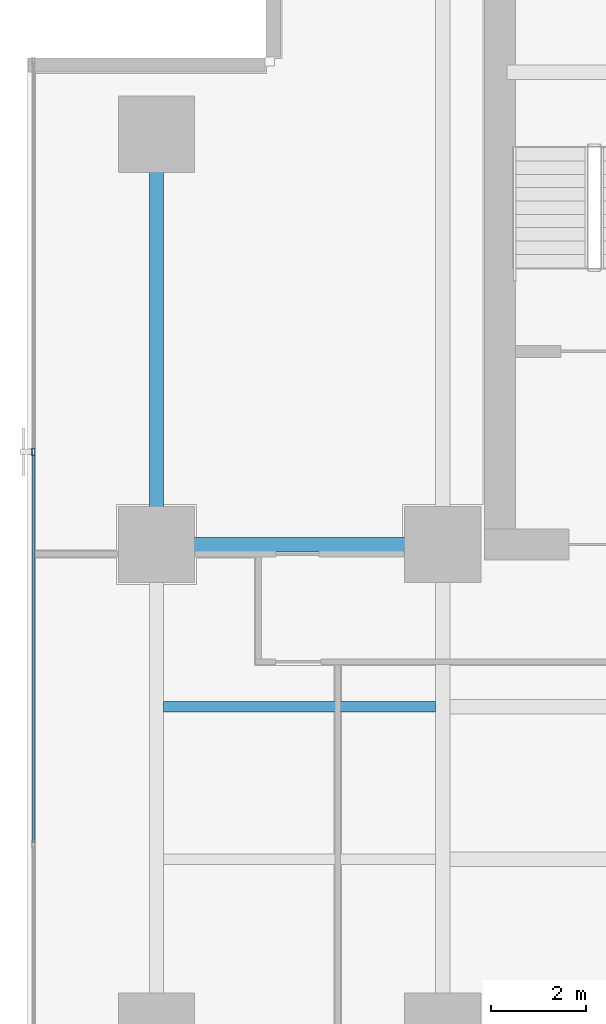
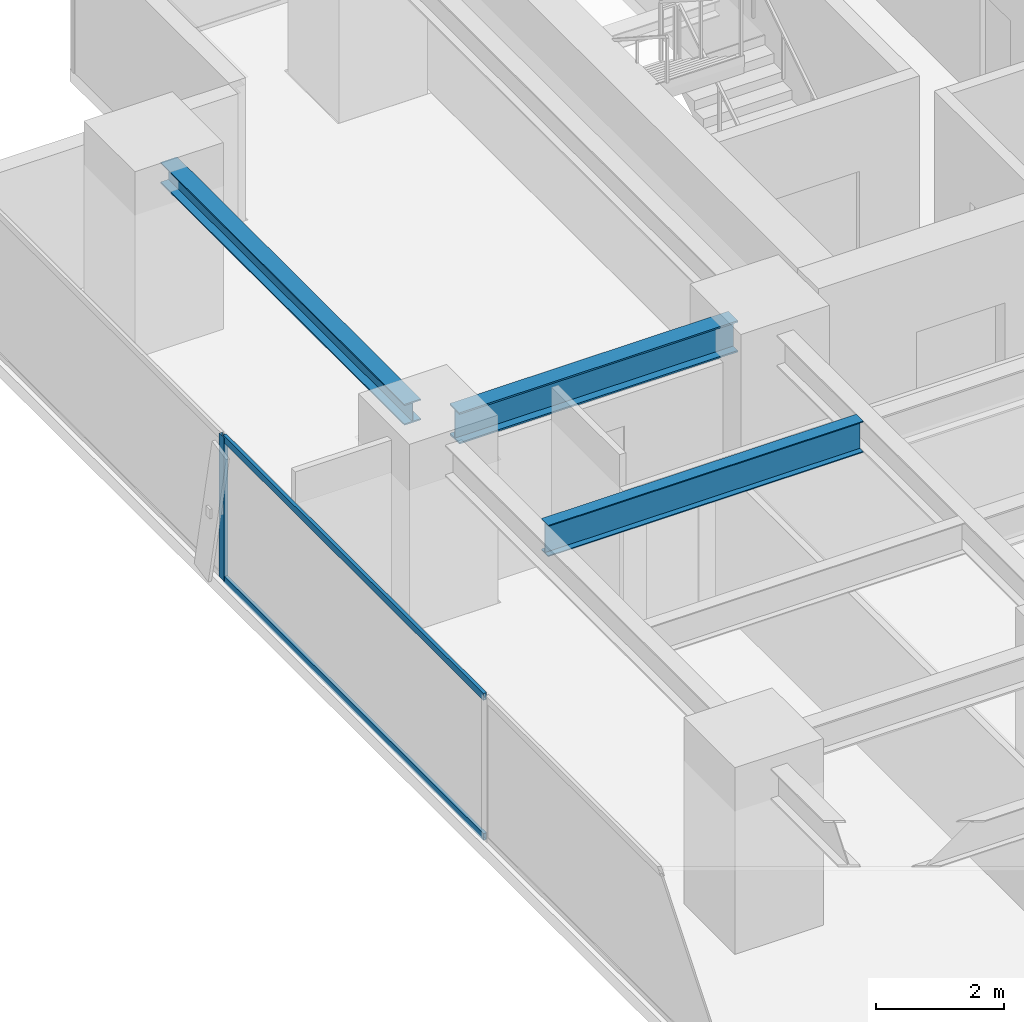
# One storey, part 17 of 36: 3 beams, 3 members, 1 element without a shape of its own.
"""IFC4 building model written with IfcOpenShell, lengths in metres."""

from ifc_helpers import new_model, si_unit, direction, frame, origin, origin_2d, place, context, subcontext, project, spatial, hollow_rectangle, i_section, extrude, source, transform, mapped, material, layer, layer_set, material_profile, profile_set, type_object, element, aggregate, save


model = new_model("IFC4")

# Units and contexts
model_context = context("Model", 3, precision=1e-05, world=origin(), true_north=direction((0.0, 1.0)))
body_context = subcontext(model_context, "Body", "Model", "MODEL_VIEW")
ifc_project = project(units=[si_unit("LENGTHUNIT", "METRE"), si_unit("AREAUNIT", "SQUARE_METRE"), si_unit("VOLUMEUNIT", "CUBIC_METRE"), si_unit("PLANEANGLEUNIT", "RADIAN"), si_unit("MASSUNIT", "GRAM", prefix="KILO")], contexts=[model_context])

# Site, building, storey
site_placement = place(None, origin())
site = spatial("IfcSite", under=ifc_project, at=site_placement, CompositionType="ELEMENT")
building_placement = place(site_placement, origin())
building = spatial("IfcBuilding", under=site, at=building_placement, Name="Sumidabori Civic Tower", CompositionType="ELEMENT")
storey_placement = place(building_placement, frame((0.0, 0.0, 84.800048828125)))
storey = spatial("IfcBuildingStorey", under=building, at=storey_placement, Name="L21", CompositionType="ELEMENT", Elevation=84.800048828125)

# Beams
ifc_material_1 = material(Name="Steel SN490", Category="steel")
ifc_material_profile_1 = material_profile(ifc_material_1, i_section(OverallWidth=0.300048828125, OverallDepth=0.60009765625, WebThickness=0.015380859375, FlangeThickness=0.030029296875, at=origin_2d()), Name="HE 600 B")
ifc_profile_set_1 = profile_set([ifc_material_profile_1], Name="Steel SN490")
beam_type_1 = type_object("IfcBeamType", Name="BM-GIRD-600", PredefinedType="BEAM", material=ifc_profile_set_1)
shared_shape_1 = source(origin(), body_context, "Body", "SweptSolid", [
    extrude(i_section(OverallWidth=0.300048828125, OverallDepth=0.60009765625, WebThickness=0.015380859375, FlangeThickness=0.030029296875, at=origin_2d()), origin(), (0.0, 0.0, 1.0), 5.0400390625),
])
beam_1_placement = place(storey_placement, frame((-22.320068359375, 10.199951171875, 3.06005859375), z_axis=(1.0, 0.0, 0.0), x_axis=(0.0, 1.0, 0.0)))
element("IfcBeam", 1, at=beam_1_placement, inside=storey, type_object=beam_type_1, Name="Primary Girder L21 GX-19", PredefinedType="BEAM", context=body_context, shape_type="MappedRepresentation", body=[
    mapped(shared_shape_1, transform((0.0, 0.0, 0.0), x_axis=(1.0, 0.0, 0.0), y_axis=(0.0, 1.0, 0.0), z_axis=(0.0, 0.0, 1.0), scale=1.0)),
])
ifc_material_profile_2 = material_profile(ifc_material_1, i_section(OverallWidth=0.300048828125, OverallDepth=0.39990234375, WebThickness=0.013427734375, FlangeThickness=0.02392578125, at=origin_2d()), Name="HE 400 B")
ifc_profile_set_2 = profile_set([ifc_material_profile_2], Name="Steel SN490")
beam_type_2 = type_object("IfcBeamType", Name="BM-GIRD-400", PredefinedType="BEAM", material=ifc_profile_set_2)
shared_shape_2 = source(origin(), body_context, "Body", "SweptSolid", [
    extrude(i_section(OverallWidth=0.300048828125, OverallDepth=0.39990234375, WebThickness=0.013427734375, FlangeThickness=0.02392578125, at=origin_2d()), origin(), (0.0, 0.0, 1.0), 7.64013671875),
])
beam_2_placement = place(storey_placement, frame((-22.800048828125, 10.679931640625, 3.159912109375), z_axis=(0.0, 1.0, 0.0), x_axis=(-1.0, 0.0, 0.0)))
element("IfcBeam", 2, at=beam_2_placement, inside=storey, type_object=beam_type_2, Name="Primary Girder L21 GY-24", PredefinedType="BEAM", context=body_context, shape_type="MappedRepresentation", body=[
    mapped(shared_shape_2, transform((0.0, 0.0, 0.0), x_axis=(1.0, 0.0, 0.0), y_axis=(0.0, 1.0, 0.0), z_axis=(0.0, 0.0, 1.0), scale=1.0)),
])
ifc_material_profile_3 = material_profile(ifc_material_1, i_section(OverallWidth=0.219970703125, OverallDepth=0.60009765625, WebThickness=0.011962890625, FlangeThickness=0.01904296875, at=origin_2d()), Name="IPE 600")
ifc_profile_set_3 = profile_set([ifc_material_profile_3], Name="Steel SN490")
beam_type_3 = type_object("IfcBeamType", Name="BM-JST-600", PredefinedType="JOIST", material=ifc_profile_set_3)
shared_shape_3 = source(origin(), body_context, "Body", "SweptSolid", [
    extrude(i_section(OverallWidth=0.219970703125, OverallDepth=0.60009765625, WebThickness=0.011962890625, FlangeThickness=0.01904296875, at=origin_2d()), origin(), (0.0, 0.0, 1.0), 5.699951171875),
])
beam_3_placement = place(storey_placement, frame((-22.64990234375, 6.800048828125, 3.06005859375), z_axis=(1.0, 0.0, 0.0), x_axis=(0.0, 1.0, 0.0)))
element("IfcBeam", 3, at=beam_3_placement, inside=storey, type_object=beam_type_3, Name="Outer Bay Floor Joist L21 JSTO-49", PredefinedType="JOIST", context=body_context, shape_type="MappedRepresentation", body=[
    mapped(shared_shape_3, transform((0.0, 0.0, 0.0), x_axis=(1.0, 0.0, 0.0), y_axis=(0.0, 1.0, 0.0), z_axis=(0.0, 0.0, 1.0), scale=1.0)),
])

# Curtain wall, members
ifc_material_2 = material(Name="Anodised Bronze Aluminium AW-6063-T6", Category="aluminium")
ifc_layer = layer(ifc_material_2, 0.179931640625, Name="Anodised Bronze Aluminium AW-6063-T6")
ifc_layer_set = layer_set([ifc_layer], Name="Anodised Bronze Aluminium AW-6063-T6")
curtain_wall_type = type_object("IfcCurtainWallType", Name="CW-SYS-3", PredefinedType="NOTDEFINED", material=ifc_layer_set)
curtain_wall_placement = place(storey_placement, origin())
curtain_wall = element("IfcCurtainWall", 4, at=curtain_wall_placement, inside=storey, type_object=curtain_wall_type, Name="Curtain Wall CW:L21:R10", PredefinedType="NOTDEFINED")
ifc_material_profile_4 = material_profile(ifc_material_2, hollow_rectangle(XDim=0.06494140625, YDim=0.159912109375, WallThickness=0.0048828125, at=origin_2d()), Name="ALU MULLION 160x65")
ifc_profile_set_4 = profile_set([ifc_material_profile_4], Name="Anodised Bronze Aluminium AW-6063-T6")
member_type_1 = type_object("IfcMemberType", Name="CW-MUL-160", PredefinedType="MULLION", material=ifc_profile_set_4)
shared_shape_4 = source(origin(), body_context, "Body", "SweptSolid", [
    extrude(hollow_rectangle(XDim=0.06494140625, YDim=0.159912109375, WallThickness=0.0048828125, at=origin_2d()), origin(), (0.0, 0.0, 1.0), 2.739990234375),
])
member_1_placement = place(storey_placement, frame((-25.3798828125, 12.14208984375, 0.0), z_axis=(0.0, 0.0, 1.0), x_axis=(1.0, 0.0, 0.0)))
member_1 = element("IfcMember", 5, at=member_1_placement, type_object=member_type_1, Name="CW-3 mullion 2", PredefinedType="MULLION", context=body_context, shape_type="MappedRepresentation", body=[
    mapped(shared_shape_4, transform((0.0, 0.0, 0.0), x_axis=(1.0, 0.0, 0.0), y_axis=(0.0, 1.0, 0.0), z_axis=(0.0, 0.0, 1.0), scale=1.0)),
])
ifc_material_profile_5 = material_profile(ifc_material_2, hollow_rectangle(XDim=0.06005859375, YDim=0.1298828125, WallThickness=0.0048828125, at=origin_2d()), Name="ALU TRANSOM 130x60")
ifc_profile_set_5 = profile_set([ifc_material_profile_5], Name="Anodised Bronze Aluminium AW-6063-T6")
member_type_2 = type_object("IfcMemberType", Name="CW-TRN-130", PredefinedType="USERDEFINED", material=ifc_profile_set_5)
shared_shape_5 = source(origin(), body_context, "Body", "SweptSolid", [
    extrude(hollow_rectangle(XDim=0.06005859375, YDim=0.1298828125, WallThickness=0.0048828125, at=origin_2d()), origin(), (0.0, 0.0, 1.0), 8.1630859375),
])
member_2_placement = place(storey_placement, frame((-25.3798828125, 12.109619140625, 0.030029296875), z_axis=(0.0, -1.0, 0.0), x_axis=(1.0, 0.0, 0.0)))
member_2 = element("IfcMember", 6, at=member_2_placement, type_object=member_type_2, Name="CW-3 transom 2.1", ObjectType="TRANSOM", PredefinedType="USERDEFINED", context=body_context, shape_type="MappedRepresentation", body=[
    mapped(shared_shape_5, transform((0.0, 0.0, 0.0), x_axis=(1.0, 0.0, 0.0), y_axis=(0.0, 1.0, 0.0), z_axis=(0.0, 0.0, 1.0), scale=1.0)),
])
member_3_placement = place(storey_placement, frame((-25.3798828125, 12.109619140625, 2.7099609375), z_axis=(0.0, -1.0, 0.0), x_axis=(1.0, 0.0, 0.0)))
member_3 = element("IfcMember", 7, at=member_3_placement, type_object=member_type_2, Name="CW-3 transom 2.2", ObjectType="TRANSOM", PredefinedType="USERDEFINED", context=body_context, shape_type="MappedRepresentation", body=[
    mapped(shared_shape_5, transform((0.0, 0.0, 0.0), x_axis=(1.0, 0.0, 0.0), y_axis=(0.0, 1.0, 0.0), z_axis=(0.0, 0.0, 1.0), scale=1.0)),
])
aggregate(curtain_wall, [member_1, member_2, member_3])

save(model, "model.ifc")
